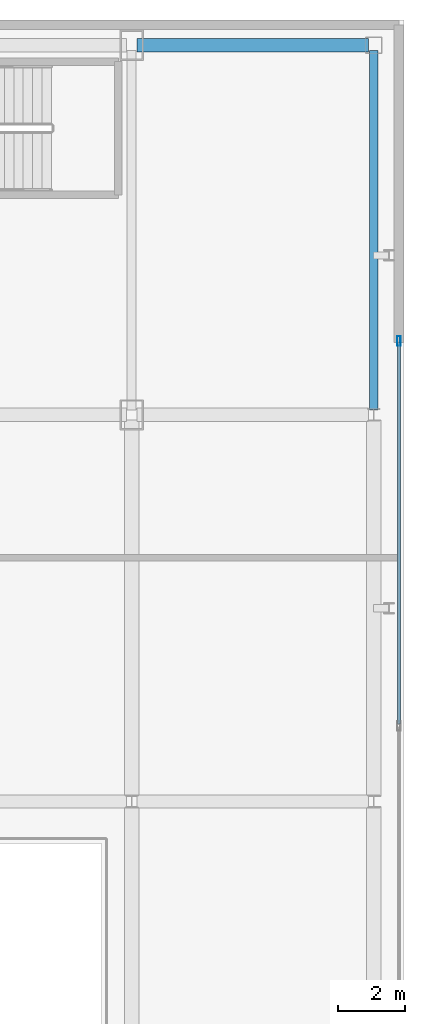
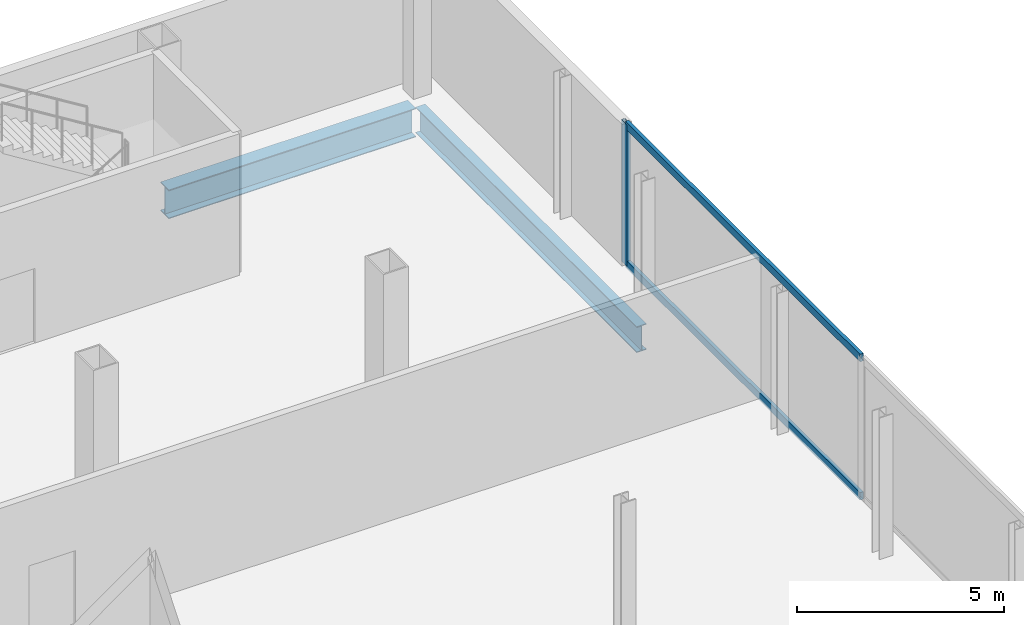
# One storey, part 17 of 27: 3 members, 2 beams, 1 element without a shape of its own.
"""IFC4 building model written with IfcOpenShell, lengths in metres."""

from ifc_helpers import new_model, si_unit, direction, frame, origin, origin_2d, place, context, subcontext, project, spatial, hollow_rectangle, i_section, extrude, source, transform, mapped, material, layer, layer_set, material_profile, profile_set, type_object, element, aggregate, save


model = new_model("IFC4")

# Units and contexts
model_context = context("Model", 3, precision=1e-05, world=origin(), true_north=direction((0.0, 1.0)))
body_context = subcontext(model_context, "Body", "Model", "MODEL_VIEW")
ifc_project = project(units=[si_unit("LENGTHUNIT", "METRE"), si_unit("AREAUNIT", "SQUARE_METRE"), si_unit("VOLUMEUNIT", "CUBIC_METRE"), si_unit("PLANEANGLEUNIT", "RADIAN"), si_unit("MASSUNIT", "GRAM", prefix="KILO")], contexts=[model_context])

# Site, building, storey
site_placement = place(None, origin())
site = spatial("IfcSite", under=ifc_project, at=site_placement, CompositionType="ELEMENT")
building_placement = place(site_placement, origin())
building = spatial("IfcBuilding", under=site, at=building_placement, Name="Kolveth Station Tower", CompositionType="ELEMENT")
storey_placement = place(building_placement, frame((0.0, 0.0, 13.5)))
storey = spatial("IfcBuildingStorey", under=building, at=storey_placement, Name="L03", CompositionType="ELEMENT", Elevation=13.5)

# Beams
ifc_material_1 = material(Name="Steel S355", Category="steel")
ifc_material_profile_1 = material_profile(ifc_material_1, i_section(OverallWidth=0.40087890625, OverallDepth=0.85107421875, WebThickness=0.01611328125, FlangeThickness=0.025390625, at=origin_2d()), Name="W840x226")
ifc_profile_set_1 = profile_set([ifc_material_profile_1], Name="Steel S355")
beam_type_1 = type_object("IfcBeamType", Name="Beam_B2", PredefinedType="BEAM", material=ifc_profile_set_1)
shared_shape_1 = source(origin(), body_context, "Body", "SweptSolid", [
    extrude(i_section(OverallWidth=0.40087890625, OverallDepth=0.85107421875, WebThickness=0.01611328125, FlangeThickness=0.025390625, at=origin_2d()), origin(), (0.0, 0.0, 1.0), 6.900146484375),
])
beam_1_placement = place(storey_placement, frame((63.64990234375, 39.75, -0.74560546875), z_axis=(1.0, 0.0, 0.0), x_axis=(0.0, 1.0, 0.0)))
element("IfcBeam", 1, at=beam_1_placement, inside=storey, type_object=beam_type_1, Name="L03 Station Portal Girder SBM-L03-EW-6-3", PredefinedType="BEAM", context=body_context, shape_type="MappedRepresentation", body=[
    mapped(shared_shape_1, transform((0.0, 0.0, 0.0), x_axis=(1.0, 0.0, 0.0), y_axis=(0.0, 1.0, 0.0), z_axis=(0.0, 0.0, 1.0), scale=1.0)),
])
ifc_material_profile_2 = material_profile(ifc_material_1, i_section(OverallWidth=0.26708984375, OverallDepth=0.76611328125, WebThickness=0.014892578125, FlangeThickness=0.023681640625, at=origin_2d()), Name="W760x185")
ifc_profile_set_2 = profile_set([ifc_material_profile_2], Name="Steel S355")
beam_type_2 = type_object("IfcBeamType", Name="Beam_B3", PredefinedType="BEAM", material=ifc_profile_set_2)
shared_shape_2 = source(origin(), body_context, "Body", "SweptSolid", [
    extrude(i_section(OverallWidth=0.26708984375, OverallDepth=0.76611328125, WebThickness=0.014892578125, FlangeThickness=0.023681640625, at=origin_2d()), origin(), (0.0, 0.0, 1.0), 10.7001953125),
])
beam_2_placement = place(storey_placement, frame((70.699951171875, 28.89990234375, -0.702880859375), z_axis=(0.0, 1.0, 0.0), x_axis=(-1.0, 0.0, 0.0)))
element("IfcBeam", 2, at=beam_2_placement, inside=storey, type_object=beam_type_2, Name="L03 Station Spine Girder SBM-L03-NS-4-5", PredefinedType="BEAM", context=body_context, shape_type="MappedRepresentation", body=[
    mapped(shared_shape_2, transform((0.0, 0.0, 0.0), x_axis=(1.0, 0.0, 0.0), y_axis=(0.0, 1.0, 0.0), z_axis=(0.0, 0.0, 1.0), scale=1.0)),
])

# Curtain wall, members
ifc_material_2 = material(Name="Black anodized aluminium 6063-T6 and clear station glass", Category="aluminium")
ifc_layer = layer(ifc_material_2, 0.239990234375)
ifc_layer_set = layer_set([ifc_layer], Name="Black anodized aluminium 6063-T6 and clear station glass")
curtain_wall_type = type_object("IfcCurtainWallType", Name="CurtainWall_CW-ST", PredefinedType="NOTDEFINED", material=ifc_layer_set)
curtain_wall_placement = place(storey_placement, origin())
curtain_wall = element("IfcCurtainWall", 3, at=curtain_wall_placement, inside=storey, type_object=curtain_wall_type, Name="L03 Station East Main Hall Curtain Wall", PredefinedType="NOTDEFINED")
ifc_material_3 = material(Name="Black anodized aluminium 6063-T6", Category="aluminium")
ifc_material_profile_3 = material_profile(ifc_material_3, hollow_rectangle(XDim=0.10009765625, YDim=0.280029296875, WallThickness=0.0048828125, at=origin_2d()), Name="ALU-100x280x5")
ifc_profile_set_3 = profile_set([ifc_material_profile_3], Name="Black anodized aluminium 6063-T6")
member_type_1 = type_object("IfcMemberType", Name="Mullion_ML-ST", PredefinedType="MULLION", material=ifc_profile_set_3)
shared_shape_3 = source(origin(), body_context, "Body", "SweptSolid", [
    extrude(hollow_rectangle(XDim=0.10009765625, YDim=0.280029296875, WallThickness=0.0048828125, at=origin_2d()), origin(), (0.0, 0.0, 1.0), 4.179931640625),
])
member_1_placement = place(storey_placement, frame((71.449951171875, 30.949951171875, 0.0), z_axis=(0.0, 0.0, 1.0), x_axis=(-1.0, 0.0, 0.0)))
member_1 = element("IfcMember", 4, at=member_1_placement, type_object=member_type_1, Name="CW-ST mullion 3", PredefinedType="MULLION", context=body_context, shape_type="MappedRepresentation", body=[
    mapped(shared_shape_3, transform((0.0, 0.0, 0.0), x_axis=(1.0, 0.0, 0.0), y_axis=(0.0, 1.0, 0.0), z_axis=(0.0, 0.0, 1.0), scale=1.0)),
])
ifc_material_profile_4 = material_profile(ifc_material_3, hollow_rectangle(XDim=0.094970703125, YDim=0.219970703125, WallThickness=0.0048828125, at=origin_2d()), Name="ALU-95x220x5")
ifc_profile_set_4 = profile_set([ifc_material_profile_4], Name="Black anodized aluminium 6063-T6")
member_type_2 = type_object("IfcMemberType", Name="Transom_TR-ST", PredefinedType="USERDEFINED", material=ifc_profile_set_4)
shared_shape_4 = source(origin(), body_context, "Body", "SweptSolid", [
    extrude(hollow_rectangle(XDim=0.094970703125, YDim=0.219970703125, WallThickness=0.0048828125, at=origin_2d()), origin(), (0.0, 0.0, 1.0), 11.349853515625),
])
member_2_placement = place(storey_placement, frame((71.449951171875, 19.550048828125, 0.047607421875), z_axis=(0.0, 1.0, 0.0), x_axis=(-1.0, 0.0, 0.0)))
member_2 = element("IfcMember", 5, at=member_2_placement, type_object=member_type_2, Name="CW-ST transom 2.1", ObjectType="TRANSOM", PredefinedType="USERDEFINED", context=body_context, shape_type="MappedRepresentation", body=[
    mapped(shared_shape_4, transform((0.0, 0.0, 0.0), x_axis=(1.0, 0.0, 0.0), y_axis=(0.0, 1.0, 0.0), z_axis=(0.0, 0.0, 1.0), scale=1.0)),
])
member_3_placement = place(storey_placement, frame((71.449951171875, 19.550048828125, 4.132568359375), z_axis=(0.0, 1.0, 0.0), x_axis=(-1.0, 0.0, 0.0)))
member_3 = element("IfcMember", 6, at=member_3_placement, type_object=member_type_2, Name="CW-ST transom 2.2", ObjectType="TRANSOM", PredefinedType="USERDEFINED", context=body_context, shape_type="MappedRepresentation", body=[
    mapped(shared_shape_4, transform((0.0, 0.0, 0.0), x_axis=(1.0, 0.0, 0.0), y_axis=(0.0, 1.0, 0.0), z_axis=(0.0, 0.0, 1.0), scale=1.0)),
])
aggregate(curtain_wall, [member_1, member_2, member_3])

save(model, "model.ifc")
